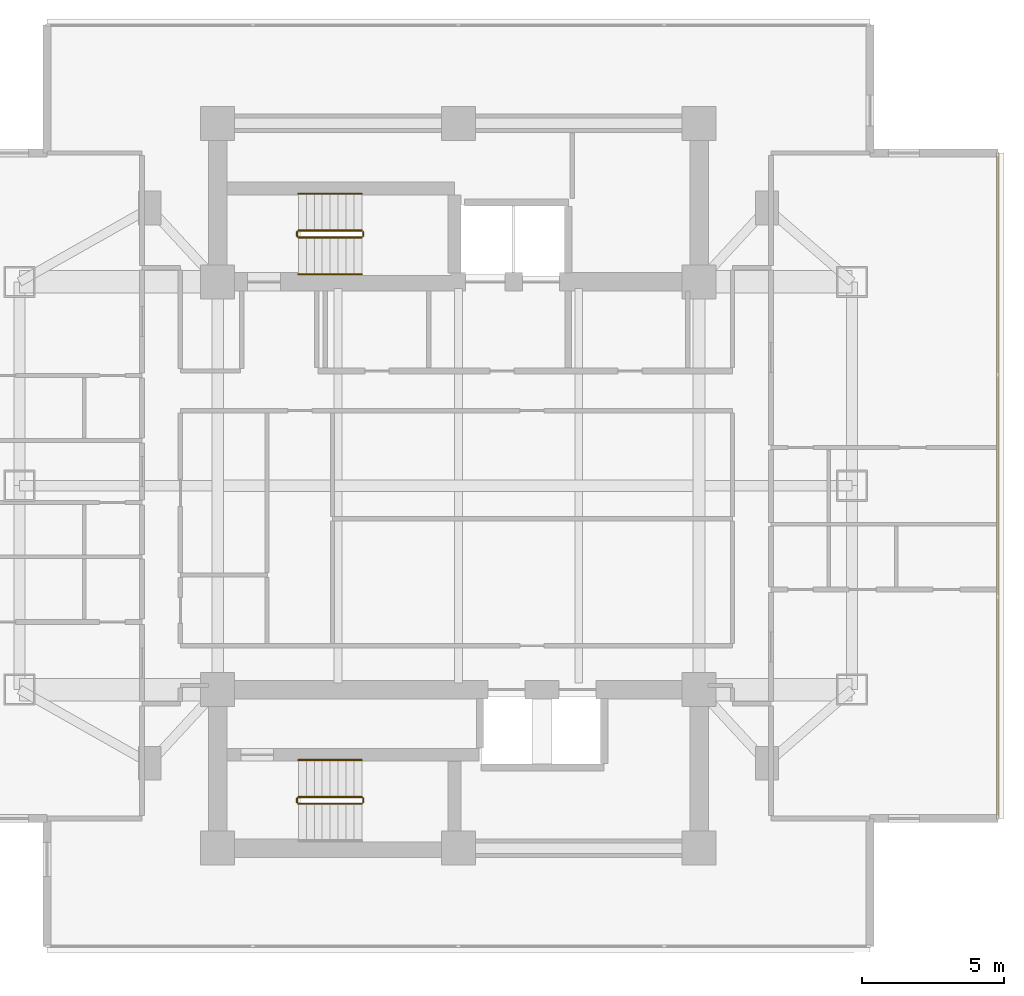
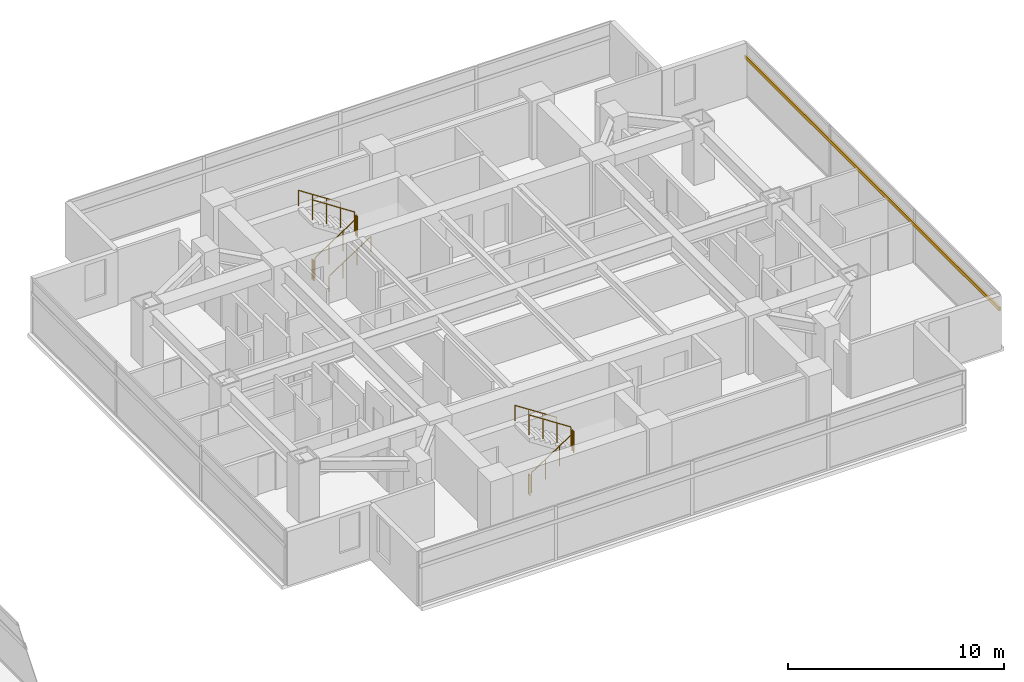
# One storey, part 25 of 26: 11 railings, 1 shading device.
"""IFC4 building model written with IfcOpenShell, lengths in metres."""

import ifcopenshell
import ifcopenshell.guid

model = None  # the IFC model being written
_history = None  # IfcOwnerHistory: only IFC2X3 demands one
_inside = {}  # id of a spatial element -> (the spatial element, [elements in it])
_under = {}  # id of a project, library or spatial element -> (it, [spatial elements below it])
_declared = {}  # id of a project -> (the project, [libraries it declares])
_typed = {}  # id of a type object -> (the type object, [elements of that type])
_made_of = {}  # id of a material, layer set ... -> (it, [elements and type objects made of it])


def new_model(schema):
    """Start an empty IFC model of exactly this schema.

    Asked for "IFC4X3", IfcOpenShell would pick the latest addendum, in which some entities
    have other attributes; the version numbers below select the first issue.
    IFC2X3 requires an IfcOwnerHistory on every rooted entity: one is made here for all.
    """
    global model, _history
    if schema == "IFC4X3":
        model = ifcopenshell.file(schema_version=(4, 3, 0, 0))
    else:
        model = ifcopenshell.file(schema=schema)
    _inside.clear()
    _under.clear()
    _declared.clear()
    _typed.clear()
    _made_of.clear()
    _history = None
    if model.schema == "IFC2X3":
        org = make("IfcOrganization", Name="unknown")
        user = make(
            "IfcPersonAndOrganization",
            ThePerson=make("IfcPerson", FamilyName="unknown"),
            TheOrganization=org,
        )
        app = make(
            "IfcApplication",
            ApplicationDeveloper=org,
            Version="unknown",
            ApplicationFullName="unknown",
            ApplicationIdentifier="unknown",
        )
        _history = make(
            "IfcOwnerHistory",
            OwningUser=user,
            OwningApplication=app,
            ChangeAction="ADDED",
            CreationDate=0,
        )
    return model


def make(cls, **values):
    """One entity of the class cls with the attributes given. An attribute that is None is left unset."""
    return model.create_entity(
        cls, **{name: value for name, value in values.items() if value is not None}
    )


def rooted(cls, **values):
    """An entity with a GlobalId (a new one), such as an element, a storey or a relation."""
    return make(cls, GlobalId=ifcopenshell.guid.new(), OwnerHistory=_history, **values)


def si_unit(unit_type, name, prefix=None):
    """IfcSIUnit, for example si_unit("LENGTHUNIT", "METRE", prefix="MILLI")."""
    return make("IfcSIUnit", UnitType=unit_type, Prefix=prefix, Name=name)


def assignment(units):
    """IfcUnitAssignment: the units of a project."""
    return None if units is None else make("IfcUnitAssignment", Units=units)


def point(xyz):
    """IfcCartesianPoint."""
    return None if xyz is None else make("IfcCartesianPoint", Coordinates=xyz)


def direction(xyz):
    """IfcDirection."""
    return None if xyz is None else make("IfcDirection", DirectionRatios=xyz)


def frame(location, z_axis=None, x_axis=None):
    """IfcAxis2Placement3D, a coordinate frame: its origin and axes. An axis left out is left unset."""
    return make(
        "IfcAxis2Placement3D",
        Location=point(location),
        Axis=direction(z_axis),
        RefDirection=direction(x_axis),
    )


def frame_2d(location, x_axis=None):
    """IfcAxis2Placement2D, a coordinate frame in the plane: its origin and x axis."""
    return make(
        "IfcAxis2Placement2D", Location=point(location), RefDirection=direction(x_axis)
    )


def origin():
    """The frame at (0, 0, 0) with its axes left unset."""
    return frame((0.0, 0.0, 0.0))


def origin_2d():
    """The frame at (0, 0) in the plane with its x axis left unset."""
    return frame_2d((0.0, 0.0))


def place(relative_to, where):
    """IfcLocalPlacement: puts the frame where relative to a parent placement (None: the world)."""
    return make(
        "IfcLocalPlacement", PlacementRelTo=relative_to, RelativePlacement=where
    )


def context(
    kind, dimensions, precision=None, world=None, true_north=None, identifier=None
):
    """IfcGeometricRepresentationContext, for example the 3D "Model" context."""
    return make(
        "IfcGeometricRepresentationContext",
        ContextIdentifier=identifier,
        ContextType=kind,
        CoordinateSpaceDimension=dimensions,
        Precision=precision,
        WorldCoordinateSystem=world,
        TrueNorth=true_north,
    )


def subcontext(parent, identifier, kind, view, scale=None):
    """IfcGeometricRepresentationSubContext, for example "Body" below "Model"."""
    return make(
        "IfcGeometricRepresentationSubContext",
        ContextIdentifier=identifier,
        ContextType=kind,
        ParentContext=parent,
        TargetScale=scale,
        TargetView=view,
    )


def project(units=None, contexts=None):
    """IfcProject with its units and contexts."""
    return rooted(
        "IfcProject",
        Name="project",
        RepresentationContexts=contexts,
        UnitsInContext=assignment(units),
    )


def spatial(cls, under=None, at=None, **own):
    """A site, building, storey or space (cls), placed at a placement, below another one or the project."""
    s = rooted(cls, ObjectPlacement=at, **own)
    if under is not None:
        _under.setdefault(under.id(), (under, []))[1].append(s)
    return s


def profile(cls, at=None, kind="AREA", **sizes):
    """A parametric profile (cls). Its sizes go by their IFC names, for example OverallWidth=200.0."""
    return make(cls, ProfileType=kind, Position=at, **sizes)


def rectangle(**sizes):
    """IfcRectangleProfileDef."""
    return profile("IfcRectangleProfileDef", **sizes)


def circle(**sizes):
    """IfcCircleProfileDef."""
    return profile("IfcCircleProfileDef", **sizes)


def extrude(swept, where, along, depth):
    """IfcExtrudedAreaSolid: the profile swept, set in the frame where, extruded along a direction by depth."""
    return make(
        "IfcExtrudedAreaSolid",
        SweptArea=swept,
        Position=where,
        ExtrudedDirection=direction(along),
        Depth=depth,
    )


def shape(context_of_items, identifier, shape_type, items):
    """IfcShapeRepresentation: the items that make up one representation, for example the "Body"."""
    return make(
        "IfcShapeRepresentation",
        ContextOfItems=context_of_items,
        RepresentationIdentifier=identifier,
        RepresentationType=shape_type,
        Items=items,
    )


def material(Name=None, Category=None):
    """IfcMaterial."""
    return make("IfcMaterial", Name=Name, Category=Category)


def material_profile(
    of_material, cross_section, Name=None, Category=None, Priority=None
):
    """IfcMaterialProfile: a cross section and its material."""
    return make(
        "IfcMaterialProfile",
        Name=Name,
        Material=of_material,
        Profile=cross_section,
        Priority=Priority,
        Category=Category,
    )


def profile_set(profiles, Name=None, composite=None):
    """IfcMaterialProfileSet."""
    return make(
        "IfcMaterialProfileSet",
        Name=Name,
        MaterialProfiles=profiles,
        CompositeProfile=composite,
    )


def made_of(thing, what):
    """Note that an element or type object is made of a material, layer set ...; save() writes the relation."""
    if what is not None:
        _made_of.setdefault(what.id(), (what, []))[1].append(thing)
    return thing


def type_object(cls, material=None, **own):
    """A type object (cls), such as IfcWallType, which elements share."""
    return made_of(rooted(cls, **own), material)


def element(
    cls,
    number,
    at=None,
    inside=None,
    cuts=None,
    type_object=None,
    material=None,
    context=None,
    identifier="Body",
    shape_type=None,
    held_by="IfcProductDefinitionShape",
    body=None,
    shapes=None,
    **own,
):
    """One element of the class cls, such as IfcWall. Its Tag is "e" and its number.

    at: its placement. inside: the storey or other place that contains it. cuts: it is an
    opening in that element (IfcRelVoidsElement). A single representation is given by context,
    identifier, shape_type and body (its items); several are given by shapes. held_by: the class
    of the entity that holds the representations. save() writes the other relations.
    """
    e = rooted(cls, Tag="e%d" % number, ObjectPlacement=at, **own)
    if body is not None:
        shapes = [shape(context, identifier, shape_type, body)]
    if shapes is not None:
        e.Representation = make(held_by, Representations=shapes)
    if inside is not None:
        _inside.setdefault(inside.id(), (inside, []))[1].append(e)
    if cuts is not None:
        rooted(
            "IfcRelVoidsElement", RelatingBuildingElement=cuts, RelatedOpeningElement=e
        )
    if type_object is not None:
        _typed.setdefault(type_object.id(), (type_object, []))[1].append(e)
    return made_of(e, material)


def aggregate(whole, parts):
    """IfcRelAggregates: a whole, such as a stair, and the parts it consists of."""
    return rooted("IfcRelAggregates", RelatingObject=whole, RelatedObjects=parts)


def save(model, path):
    """Write the relations noted so far, then the file.

    IfcRelAggregates (storeys below a building ...), IfcRelContainedInSpatialStructure (elements
    in a storey), IfcRelDefinesByType, IfcRelAssociatesMaterial and IfcRelDeclares: one each for
    every whole, place, type object, material and project.
    """
    for whole, parts in _under.values():
        aggregate(whole, parts)
    for where, things in _inside.values():
        rooted(
            "IfcRelContainedInSpatialStructure",
            RelatedElements=things,
            RelatingStructure=where,
        )
    for kind, things in _typed.values():
        rooted("IfcRelDefinesByType", RelatedObjects=things, RelatingType=kind)
    for what, things in _made_of.values():
        rooted("IfcRelAssociatesMaterial", RelatedObjects=things, RelatingMaterial=what)
    for by, libraries in _declared.values():
        rooted("IfcRelDeclares", RelatingContext=by, RelatedDefinitions=libraries)
    model.write(path)


model = new_model("IFC4")

# Units and contexts
model_context = context("Model", 3, precision=1e-05, world=origin(), true_north=direction((0.0, 1.0)))
body_context = subcontext(model_context, "Body", "Model", "MODEL_VIEW")
ifc_project = project(units=[si_unit("LENGTHUNIT", "METRE"), si_unit("AREAUNIT", "SQUARE_METRE"), si_unit("VOLUMEUNIT", "CUBIC_METRE"), si_unit("PLANEANGLEUNIT", "RADIAN"), si_unit("MASSUNIT", "GRAM", prefix="KILO")], contexts=[model_context])

# Site, building, storey
site_placement = place(None, origin())
site = spatial("IfcSite", under=ifc_project, at=site_placement, CompositionType="ELEMENT")
building_placement = place(site_placement, origin())
building = spatial("IfcBuilding", under=site, at=building_placement, Name="Mirazonda Arch Towers", CompositionType="ELEMENT")
storey_placement = place(building_placement, frame((0.0, 0.0, 114.800048828125)))
storey = spatial("IfcBuildingStorey", under=building, at=storey_placement, Name="L32", CompositionType="ELEMENT", Elevation=114.800048828125)

# Shading device
ifc_material_1 = material(Name="Kiln-Fired Architectural Terracotta", Category="masonry")
ifc_material_profile = material_profile(ifc_material_1, rectangle(XDim=0.10009765625, YDim=0.199951171875, at=origin_2d()), Name="TERRA-BAG-100x200")
ifc_profile_set = profile_set([ifc_material_profile], Name="Kiln-Fired Architectural Terracotta")
shading_device_type = type_object("IfcShadingDeviceType", Name="BAGUETTE-2", PredefinedType="USERDEFINED", material=ifc_profile_set)
shading_device_placement = place(storey_placement, frame((95.54638671875, 16.25244140625, 2.203125), z_axis=(0.0, 1.0, 0.0), x_axis=(-1.0, 0.0, 0.0)))
element("IfcShadingDevice", 1, at=shading_device_placement, inside=storey, type_object=shading_device_type, Name="L32 Glazed Terracotta Sun-Screen Baguette CW-L32-T2-E", ObjectType="BAGUETTE", PredefinedType="USERDEFINED", context=body_context, shape_type="SweptSolid", body=[
    extrude(rectangle(XDim=0.10009765625, YDim=0.199951171875, at=origin_2d()), origin(), (0.0, 0.0, 1.0), 23.4951171875),
])

# Railings
ifc_material_2 = material(Name="Architectural Brushed Steel S355", Category="steel")
railing_type_1 = type_object("IfcRailingType", Name="GUARD-STAIR-1120", PredefinedType="GUARDRAIL", material=ifc_material_2)
railing_1_placement = place(storey_placement, frame((70.85009765625, 36.77001953125, 0.183349609375)))
element("IfcRailing", 2, at=railing_1_placement, inside=storey, type_object=railing_type_1, Name="L32 ST-T2N stair guard 1", PredefinedType="GUARDRAIL", context=body_context, shape_type="SweptSolid", body=[
    extrude(circle(Radius=0.02392578125, at=origin_2d()), frame((0.0, 0.0, 1.1259765625), z_axis=(0.836636935527, 0.0, 0.547757827979), x_axis=(0.0, 1.0, 0.0)), (0.0, 0.0, 1.0), 2.677490234375),
    extrude(circle(Radius=0.02099609375, at=origin_2d()), origin(), (0.0, 0.0, 1.0), 1.101806640625),
    extrude(circle(Radius=0.02099609375, at=origin_2d()), frame((0.74658203125, 0.0, 0.48876953125)), (0.0, 0.0, 1.0), 1.101806640625),
    extrude(circle(Radius=0.02099609375, at=origin_2d()), frame((1.493408203125, 0.0, 0.977783203125)), (0.0, 0.0, 1.0), 1.101806640625),
    extrude(circle(Radius=0.02099609375, at=origin_2d()), frame((2.239990234375, 0.0, 1.466552734375)), (0.0, 0.0, 1.0), 1.101806640625),
])
railing_2_placement = place(storey_placement, frame((73.139892578125, 36.820068359375, 1.64990234375)))
element("IfcRailing", 3, at=railing_2_placement, inside=storey, type_object=railing_type_1, Name="L32 ST-T2N stair guard 2", PredefinedType="GUARDRAIL", context=body_context, shape_type="SweptSolid", body=[
    extrude(circle(Radius=0.02392578125, at=origin_2d()), frame((0.0, 0.0, 1.1259765625), z_axis=(0.0, 1.0, 0.0), x_axis=(-1.0, 0.0, 0.0)), (0.0, 0.0, 1.0), 0.139892578125),
    extrude(circle(Radius=0.02099609375, at=origin_2d()), origin(), (0.0, 0.0, 1.0), 1.101806640625),
    extrude(circle(Radius=0.02099609375, at=origin_2d()), frame((0.0, 0.139892578125, 0.0)), (0.0, 0.0, 1.0), 1.101806640625),
])
railing_3_placement = place(storey_placement, frame((73.090087890625, 37.010009765625, 1.833251953125)))
element("IfcRailing", 4, at=railing_3_placement, inside=storey, type_object=railing_type_1, Name="L32 ST-T2N stair guard 3", PredefinedType="GUARDRAIL", context=body_context, shape_type="SweptSolid", body=[
    extrude(circle(Radius=0.02392578125, at=origin_2d()), frame((0.0, 0.0, 1.1259765625), z_axis=(-0.836595146698, 0.0, 0.547821650285), x_axis=(0.0, -1.0, 0.0)), (0.0, 0.0, 1.0), 2.677490234375),
    extrude(circle(Radius=0.02099609375, at=origin_2d()), origin(), (0.0, 0.0, 1.0), 1.101806640625),
    extrude(circle(Radius=0.02099609375, at=origin_2d()), frame((-0.74658203125, 0.0, 0.489013671875)), (0.0, 0.0, 1.0), 1.101806640625),
    extrude(circle(Radius=0.02099609375, at=origin_2d()), frame((-1.493408203125, 0.0, 0.977783203125)), (0.0, 0.0, 1.0), 1.101806640625),
    extrude(circle(Radius=0.02099609375, at=origin_2d()), frame((-2.239990234375, 0.0, 1.466796875)), (0.0, 0.0, 1.0), 1.101806640625),
])
railing_4_placement = place(storey_placement, frame((70.800048828125, 36.820068359375, 0.0)))
element("IfcRailing", 5, at=railing_4_placement, inside=storey, type_object=railing_type_1, Name="L32 ST-T2N stair guard 4", PredefinedType="GUARDRAIL", context=body_context, shape_type="SweptSolid", body=[
    extrude(circle(Radius=0.02392578125, at=origin_2d()), frame((0.0, 0.0, 1.1259765625), z_axis=(0.0, 1.0, 0.0), x_axis=(-1.0, 0.0, 0.0)), (0.0, 0.0, 1.0), 0.139892578125),
    extrude(circle(Radius=0.02099609375, at=origin_2d()), origin(), (0.0, 0.0, 1.0), 1.101806640625),
    extrude(circle(Radius=0.02099609375, at=origin_2d()), frame((0.0, 0.139892578125, 0.0)), (0.0, 0.0, 1.0), 1.101806640625),
])
railing_5_placement = place(storey_placement, frame((70.85009765625, 16.77001953125, 0.183349609375)))
element("IfcRailing", 6, at=railing_5_placement, inside=storey, type_object=railing_type_1, Name="L32 ST-T2S stair guard 1", PredefinedType="GUARDRAIL", context=body_context, shape_type="SweptSolid", body=[
    extrude(circle(Radius=0.02392578125, at=origin_2d()), frame((0.0, 0.0, 1.1259765625), z_axis=(0.836636935527, 0.0, 0.547757827979), x_axis=(0.0, 1.0, 0.0)), (0.0, 0.0, 1.0), 2.677490234375),
    extrude(circle(Radius=0.02099609375, at=origin_2d()), origin(), (0.0, 0.0, 1.0), 1.101806640625),
    extrude(circle(Radius=0.02099609375, at=origin_2d()), frame((0.74658203125, 0.0, 0.48876953125)), (0.0, 0.0, 1.0), 1.101806640625),
    extrude(circle(Radius=0.02099609375, at=origin_2d()), frame((1.493408203125, 0.0, 0.977783203125)), (0.0, 0.0, 1.0), 1.101806640625),
    extrude(circle(Radius=0.02099609375, at=origin_2d()), frame((2.239990234375, 0.0, 1.466552734375)), (0.0, 0.0, 1.0), 1.101806640625),
])
railing_6_placement = place(storey_placement, frame((73.139892578125, 16.820068359375, 1.64990234375)))
element("IfcRailing", 7, at=railing_6_placement, inside=storey, type_object=railing_type_1, Name="L32 ST-T2S stair guard 2", PredefinedType="GUARDRAIL", context=body_context, shape_type="SweptSolid", body=[
    extrude(circle(Radius=0.02392578125, at=origin_2d()), frame((0.0, 0.0, 1.1259765625), z_axis=(0.0, 1.0, 0.0), x_axis=(-1.0, 0.0, 0.0)), (0.0, 0.0, 1.0), 0.139892578125),
    extrude(circle(Radius=0.02099609375, at=origin_2d()), origin(), (0.0, 0.0, 1.0), 1.101806640625),
    extrude(circle(Radius=0.02099609375, at=origin_2d()), frame((0.0, 0.139892578125, 0.0)), (0.0, 0.0, 1.0), 1.101806640625),
])
railing_7_placement = place(storey_placement, frame((73.090087890625, 17.010009765625, 1.833251953125)))
element("IfcRailing", 8, at=railing_7_placement, inside=storey, type_object=railing_type_1, Name="L32 ST-T2S stair guard 3", PredefinedType="GUARDRAIL", context=body_context, shape_type="SweptSolid", body=[
    extrude(circle(Radius=0.02392578125, at=origin_2d()), frame((0.0, 0.0, 1.1259765625), z_axis=(-0.836595146698, 0.0, 0.547821650285), x_axis=(0.0, -1.0, 0.0)), (0.0, 0.0, 1.0), 2.677490234375),
    extrude(circle(Radius=0.02099609375, at=origin_2d()), origin(), (0.0, 0.0, 1.0), 1.101806640625),
    extrude(circle(Radius=0.02099609375, at=origin_2d()), frame((-0.74658203125, 0.0, 0.489013671875)), (0.0, 0.0, 1.0), 1.101806640625),
    extrude(circle(Radius=0.02099609375, at=origin_2d()), frame((-1.493408203125, 0.0, 0.977783203125)), (0.0, 0.0, 1.0), 1.101806640625),
    extrude(circle(Radius=0.02099609375, at=origin_2d()), frame((-2.239990234375, 0.0, 1.466796875)), (0.0, 0.0, 1.0), 1.101806640625),
])
railing_8_placement = place(storey_placement, frame((70.800048828125, 16.820068359375, 0.0)))
element("IfcRailing", 9, at=railing_8_placement, inside=storey, type_object=railing_type_1, Name="L32 ST-T2S stair guard 4", PredefinedType="GUARDRAIL", context=body_context, shape_type="SweptSolid", body=[
    extrude(circle(Radius=0.02392578125, at=origin_2d()), frame((0.0, 0.0, 1.1259765625), z_axis=(0.0, 1.0, 0.0), x_axis=(-1.0, 0.0, 0.0)), (0.0, 0.0, 1.0), 0.139892578125),
    extrude(circle(Radius=0.02099609375, at=origin_2d()), origin(), (0.0, 0.0, 1.0), 1.101806640625),
    extrude(circle(Radius=0.02099609375, at=origin_2d()), frame((0.0, 0.139892578125, 0.0)), (0.0, 0.0, 1.0), 1.101806640625),
])
railing_type_2 = type_object("IfcRailingType", Name="HANDRAIL-915", PredefinedType="HANDRAIL", material=ifc_material_2)
railing_9_placement = place(storey_placement, frame((70.85009765625, 35.469970703125, 0.183349609375)))
element("IfcRailing", 10, at=railing_9_placement, inside=storey, type_object=railing_type_2, Name="L32 ST-T2N stair handrail 1", PredefinedType="HANDRAIL", context=body_context, shape_type="SweptSolid", body=[
    extrude(circle(Radius=0.02392578125, at=origin_2d()), frame((0.0, 0.0, 0.8759765625), z_axis=(0.836636935527, 0.0, 0.547757827979), x_axis=(0.0, 1.0, 0.0)), (0.0, 0.0, 1.0), 2.677490234375),
    extrude(circle(Radius=0.02099609375, at=origin_2d()), origin(), (0.0, 0.0, 1.0), 0.851806640625),
    extrude(circle(Radius=0.02099609375, at=origin_2d()), frame((0.74658203125, 0.0, 0.48876953125)), (0.0, 0.0, 1.0), 0.851806640625),
    extrude(circle(Radius=0.02099609375, at=origin_2d()), frame((1.493408203125, 0.0, 0.977783203125)), (0.0, 0.0, 1.0), 0.851806640625),
    extrude(circle(Radius=0.02099609375, at=origin_2d()), frame((2.239990234375, 0.0, 1.466552734375)), (0.0, 0.0, 1.0), 0.851806640625),
])
for number, where, name in (
    (11, (73.090087890625, 38.31005859375, 1.833251953125), "L32 ST-T2N stair handrail 2"),
    (12, (73.090087890625, 18.31005859375, 1.833251953125), "L32 ST-T2S stair handrail 2"),
):
    element("IfcRailing", number, at=place(storey_placement, frame(where)), inside=storey, type_object=railing_type_2, Name=name, PredefinedType="HANDRAIL", context=body_context, shape_type="SweptSolid", body=[
        extrude(circle(Radius=0.02392578125, at=origin_2d()), frame((0.0, 0.0, 0.8759765625), z_axis=(-0.836595146698, 0.0, 0.547821650285), x_axis=(0.0, -1.0, 0.0)), (0.0, 0.0, 1.0), 2.677490234375),
        extrude(circle(Radius=0.02099609375, at=origin_2d()), origin(), (0.0, 0.0, 1.0), 0.851806640625),
        extrude(circle(Radius=0.02099609375, at=origin_2d()), frame((-0.74658203125, 0.0, 0.489013671875)), (0.0, 0.0, 1.0), 0.851806640625),
        extrude(circle(Radius=0.02099609375, at=origin_2d()), frame((-1.493408203125, 0.0, 0.977783203125)), (0.0, 0.0, 1.0), 0.851806640625),
        extrude(circle(Radius=0.02099609375, at=origin_2d()), frame((-2.239990234375, 0.0, 1.466796875)), (0.0, 0.0, 1.0), 0.851806640625),
    ])

save(model, "model.ifc")
